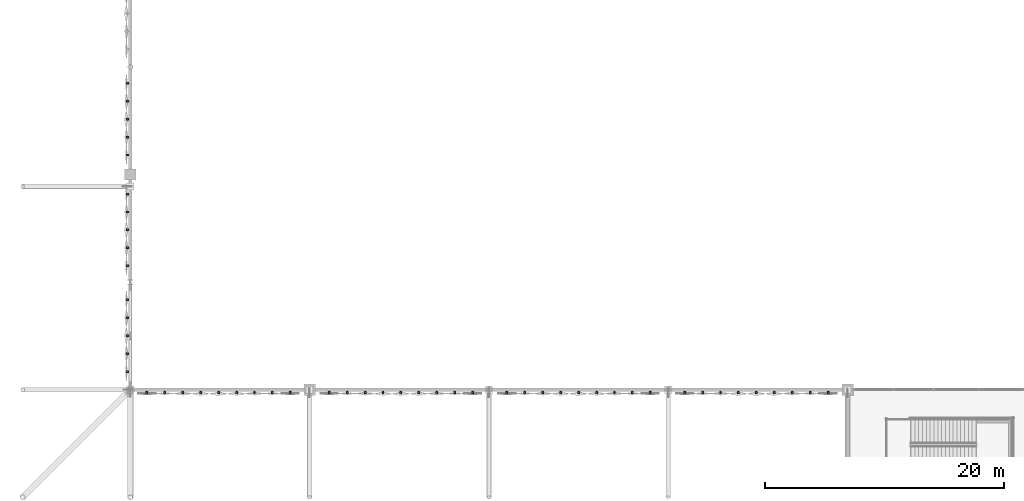
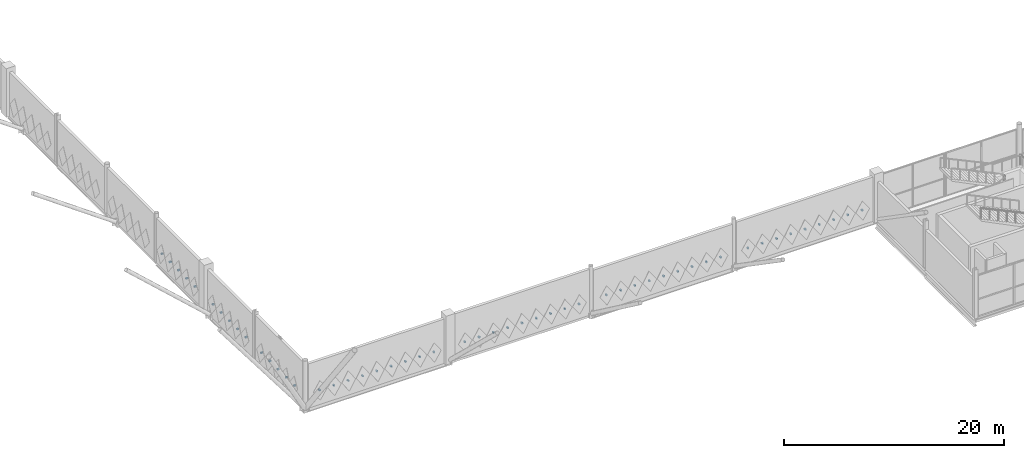
# One storey, part 100 of 119: 51 discrete accessories.
"""IFC4 building model written with IfcOpenShell, lengths in metres."""

from ifc_helpers import new_model, si_unit, direction, frame, origin, origin_2d, place, context, subcontext, project, spatial, rectangle, extrude, material, type_object, element, save


model = new_model("IFC4")

# Units and contexts
model_context = context("Model", 3, precision=1e-05, world=origin(), true_north=direction((0.0, 1.0)))
body_context = subcontext(model_context, "Body", "Model", "MODEL_VIEW")
ifc_project = project(units=[si_unit("LENGTHUNIT", "METRE"), si_unit("AREAUNIT", "SQUARE_METRE"), si_unit("VOLUMEUNIT", "CUBIC_METRE"), si_unit("PLANEANGLEUNIT", "RADIAN"), si_unit("MASSUNIT", "GRAM", prefix="KILO")], contexts=[model_context])

# Site, building, storey
site_placement = place(None, origin())
site = spatial("IfcSite", under=ifc_project, at=site_placement, CompositionType="ELEMENT")
building_placement = place(site_placement, origin())
building = spatial("IfcBuilding", under=site, at=building_placement, Name="Qamarlyn Nura Convention Centre", CompositionType="ELEMENT")
storey_placement = place(building_placement, frame((0.0, 0.0, 5.39990234375)))
storey = spatial("IfcBuildingStorey", under=building, at=storey_placement, Name="L01", CompositionType="ELEMENT", Elevation=5.39990234375)

# Discrete accessories
ifc_material = material(Name="Marine Grade 316 stainless steel", Category="steel")
discrete_accessory_type = type_object("IfcDiscreteAccessoryType", Name="ACC-TILE-BRK", PredefinedType="BRACKET", material=ifc_material)
discrete_accessory_1_placement = place(storey_placement, frame((-0.218994140625, 19.520751953125, 1.6201171875), z_axis=(0.0, 0.0, 1.0), x_axis=(-1.0, 0.0, 0.0)))
element("IfcDiscreteAccessory", 1, at=discrete_accessory_1_placement, inside=storey, type_object=discrete_accessory_type, Name="L01 diamond tile pivot bracket 0049", PredefinedType="BRACKET", context=body_context, shape_type="SweptSolid", body=[
    extrude(rectangle(XDim=0.218017578125, YDim=0.159912109375, at=origin_2d()), origin(), (0.0, 0.0, 1.0), 0.159912109375),
])
discrete_accessory_2_placement = place(storey_placement, frame((-0.224365234375, 21.020751953125, 1.6201171875), z_axis=(0.0, 0.0, 1.0), x_axis=(-1.0, 0.0, 0.0)))
element("IfcDiscreteAccessory", 2, at=discrete_accessory_2_placement, inside=storey, type_object=discrete_accessory_type, Name="L01 diamond tile pivot bracket 0050", PredefinedType="BRACKET", context=body_context, shape_type="SweptSolid", body=[
    extrude(rectangle(XDim=0.228515625, YDim=0.159912109375, at=origin_2d()), origin(), (0.0, 0.0, 1.0), 0.159912109375),
])
discrete_accessory_3_placement = place(storey_placement, frame((-0.2265625, 22.520751953125, 1.6201171875), z_axis=(0.0, 0.0, 1.0), x_axis=(-1.0, 0.0, 0.0)))
element("IfcDiscreteAccessory", 3, at=discrete_accessory_3_placement, inside=storey, type_object=discrete_accessory_type, Name="L01 diamond tile pivot bracket 0051", PredefinedType="BRACKET", context=body_context, shape_type="SweptSolid", body=[
    extrude(rectangle(XDim=0.23291015625, YDim=0.159912109375, at=origin_2d()), origin(), (0.0, 0.0, 1.0), 0.159912109375),
])
discrete_accessory_4_placement = place(storey_placement, frame((-0.224365234375, 24.020751953125, 1.6201171875), z_axis=(0.0, 0.0, 1.0), x_axis=(-1.0, 0.0, 0.0)))
element("IfcDiscreteAccessory", 4, at=discrete_accessory_4_placement, inside=storey, type_object=discrete_accessory_type, Name="L01 diamond tile pivot bracket 0052", PredefinedType="BRACKET", context=body_context, shape_type="SweptSolid", body=[
    extrude(rectangle(XDim=0.228515625, YDim=0.159912109375, at=origin_2d()), origin(), (0.0, 0.0, 1.0), 0.159912109375),
])
for number, where, z_axis, x_axis, name in (
    (5, (-0.218994140625, 25.520751953125, 1.6201171875), (0.0, 0.0, 1.0), (-1.0, 0.0, 0.0), "L01 diamond tile pivot bracket 0053"),
    (6, (-0.218994140625, 28.36865234375, 1.6201171875), (0.0, 0.0, 1.0), (-1.0, 0.0, 0.0), "L01 diamond tile pivot bracket 0054"),
):
    element("IfcDiscreteAccessory", number, at=place(storey_placement, frame(where, z_axis=z_axis, x_axis=x_axis)), inside=storey, type_object=discrete_accessory_type, Name=name, PredefinedType="BRACKET", context=body_context, shape_type="SweptSolid", body=[
        extrude(rectangle(XDim=0.218017578125, YDim=0.159912109375, at=origin_2d()), origin(), (0.0, 0.0, 1.0), 0.159912109375),
    ])
discrete_accessory_5_placement = place(storey_placement, frame((-0.224365234375, 29.86865234375, 1.6201171875), z_axis=(0.0, 0.0, 1.0), x_axis=(-1.0, 0.0, 0.0)))
element("IfcDiscreteAccessory", 7, at=discrete_accessory_5_placement, inside=storey, type_object=discrete_accessory_type, Name="L01 diamond tile pivot bracket 0055", PredefinedType="BRACKET", context=body_context, shape_type="SweptSolid", body=[
    extrude(rectangle(XDim=0.228515625, YDim=0.159912109375, at=origin_2d()), origin(), (0.0, 0.0, 1.0), 0.159912109375),
])
discrete_accessory_6_placement = place(storey_placement, frame((-0.2265625, 31.36865234375, 1.6201171875), z_axis=(0.0, 0.0, 1.0), x_axis=(-1.0, 0.0, 0.0)))
element("IfcDiscreteAccessory", 8, at=discrete_accessory_6_placement, inside=storey, type_object=discrete_accessory_type, Name="L01 diamond tile pivot bracket 0056", PredefinedType="BRACKET", context=body_context, shape_type="SweptSolid", body=[
    extrude(rectangle(XDim=0.23291015625, YDim=0.159912109375, at=origin_2d()), origin(), (0.0, 0.0, 1.0), 0.159912109375),
])
discrete_accessory_7_placement = place(storey_placement, frame((-0.224365234375, 32.86865234375, 1.6201171875), z_axis=(0.0, 0.0, 1.0), x_axis=(-1.0, 0.0, 0.0)))
element("IfcDiscreteAccessory", 9, at=discrete_accessory_7_placement, inside=storey, type_object=discrete_accessory_type, Name="L01 diamond tile pivot bracket 0057", PredefinedType="BRACKET", context=body_context, shape_type="SweptSolid", body=[
    extrude(rectangle(XDim=0.228515625, YDim=0.159912109375, at=origin_2d()), origin(), (0.0, 0.0, 1.0), 0.159912109375),
])
for number, where, z_axis, x_axis, name in (
    (10, (-0.218994140625, 34.36865234375, 1.6201171875), (0.0, 0.0, 1.0), (-1.0, 0.0, 0.0), "L01 diamond tile pivot bracket 0058"),
    (11, (-0.218994140625, 37.635986328125, 1.6201171875), (0.0, 0.0, 1.0), (-1.0, 0.0, 0.0), "L01 diamond tile pivot bracket 0059"),
):
    element("IfcDiscreteAccessory", number, at=place(storey_placement, frame(where, z_axis=z_axis, x_axis=x_axis)), inside=storey, type_object=discrete_accessory_type, Name=name, PredefinedType="BRACKET", context=body_context, shape_type="SweptSolid", body=[
        extrude(rectangle(XDim=0.218017578125, YDim=0.159912109375, at=origin_2d()), origin(), (0.0, 0.0, 1.0), 0.159912109375),
    ])
discrete_accessory_8_placement = place(storey_placement, frame((-0.224365234375, 39.135986328125, 1.6201171875), z_axis=(0.0, 0.0, 1.0), x_axis=(-1.0, 0.0, 0.0)))
element("IfcDiscreteAccessory", 12, at=discrete_accessory_8_placement, inside=storey, type_object=discrete_accessory_type, Name="L01 diamond tile pivot bracket 0060", PredefinedType="BRACKET", context=body_context, shape_type="SweptSolid", body=[
    extrude(rectangle(XDim=0.228515625, YDim=0.159912109375, at=origin_2d()), origin(), (0.0, 0.0, 1.0), 0.159912109375),
])
discrete_accessory_9_placement = place(storey_placement, frame((-0.2265625, 40.635986328125, 1.6201171875), z_axis=(0.0, 0.0, 1.0), x_axis=(-1.0, 0.0, 0.0)))
element("IfcDiscreteAccessory", 13, at=discrete_accessory_9_placement, inside=storey, type_object=discrete_accessory_type, Name="L01 diamond tile pivot bracket 0061", PredefinedType="BRACKET", context=body_context, shape_type="SweptSolid", body=[
    extrude(rectangle(XDim=0.23291015625, YDim=0.159912109375, at=origin_2d()), origin(), (0.0, 0.0, 1.0), 0.159912109375),
])
discrete_accessory_10_placement = place(storey_placement, frame((-0.224365234375, 42.135986328125, 1.6201171875), z_axis=(0.0, 0.0, 1.0), x_axis=(-1.0, 0.0, 0.0)))
element("IfcDiscreteAccessory", 14, at=discrete_accessory_10_placement, inside=storey, type_object=discrete_accessory_type, Name="L01 diamond tile pivot bracket 0062", PredefinedType="BRACKET", context=body_context, shape_type="SweptSolid", body=[
    extrude(rectangle(XDim=0.228515625, YDim=0.159912109375, at=origin_2d()), origin(), (0.0, 0.0, 1.0), 0.159912109375),
])
discrete_accessory_11_placement = place(storey_placement, frame((-0.218994140625, 43.635986328125, 1.6201171875), z_axis=(0.0, 0.0, 1.0), x_axis=(-1.0, 0.0, 0.0)))
element("IfcDiscreteAccessory", 15, at=discrete_accessory_11_placement, inside=storey, type_object=discrete_accessory_type, Name="L01 diamond tile pivot bracket 0063", PredefinedType="BRACKET", context=body_context, shape_type="SweptSolid", body=[
    extrude(rectangle(XDim=0.218017578125, YDim=0.159912109375, at=origin_2d()), origin(), (0.0, 0.0, 1.0), 0.159912109375),
])
discrete_accessory_12_placement = place(storey_placement, frame((13.389404296875, 17.782470703125, 1.6201171875), z_axis=(0.0, 0.0, 1.0), x_axis=(0.0, -1.0, 0.0)))
element("IfcDiscreteAccessory", 16, at=discrete_accessory_12_placement, inside=storey, type_object=discrete_accessory_type, Name="L01 diamond tile pivot bracket 0096", PredefinedType="BRACKET", context=body_context, shape_type="SweptSolid", body=[
    extrude(rectangle(XDim=0.215087890625, YDim=0.159912109375, at=origin_2d()), origin(), (0.0, 0.0, 1.0), 0.159912109375),
])
discrete_accessory_13_placement = place(storey_placement, frame((11.889404296875, 17.7802734375, 1.6201171875), z_axis=(0.0, 0.0, 1.0), x_axis=(0.0, -1.0, 0.0)))
element("IfcDiscreteAccessory", 17, at=discrete_accessory_13_placement, inside=storey, type_object=discrete_accessory_type, Name="L01 diamond tile pivot bracket 0097", PredefinedType="BRACKET", context=body_context, shape_type="SweptSolid", body=[
    extrude(rectangle(XDim=0.219482421875, YDim=0.159912109375, at=origin_2d()), origin(), (0.0, 0.0, 1.0), 0.159912109375),
])
discrete_accessory_14_placement = place(storey_placement, frame((10.389404296875, 17.77587890625, 1.6201171875), z_axis=(0.0, 0.0, 1.0), x_axis=(0.0, -1.0, 0.0)))
element("IfcDiscreteAccessory", 18, at=discrete_accessory_14_placement, inside=storey, type_object=discrete_accessory_type, Name="L01 diamond tile pivot bracket 0098", PredefinedType="BRACKET", context=body_context, shape_type="SweptSolid", body=[
    extrude(rectangle(XDim=0.228515625, YDim=0.159912109375, at=origin_2d()), origin(), (0.0, 0.0, 1.0), 0.159912109375),
])
for number, where, z_axis, x_axis, name in (
    (19, (8.889404296875, 17.7734375, 1.6201171875), (0.0, 0.0, 1.0), (0.0, -1.0, 0.0), "L01 diamond tile pivot bracket 0099"),
    (20, (7.389404296875, 17.7734375, 1.6201171875), (0.0, 0.0, 1.0), (0.0, -1.0, 0.0), "L01 diamond tile pivot bracket 0100"),
    (21, (5.889404296875, 17.7734375, 1.6201171875), (0.0, 0.0, 1.0), (0.0, -1.0, 0.0), "L01 diamond tile pivot bracket 0101"),
):
    element("IfcDiscreteAccessory", number, at=place(storey_placement, frame(where, z_axis=z_axis, x_axis=x_axis)), inside=storey, type_object=discrete_accessory_type, Name=name, PredefinedType="BRACKET", context=body_context, shape_type="SweptSolid", body=[
        extrude(rectangle(XDim=0.23291015625, YDim=0.159912109375, at=origin_2d()), origin(), (0.0, 0.0, 1.0), 0.159912109375),
    ])
discrete_accessory_15_placement = place(storey_placement, frame((4.389404296875, 17.77587890625, 1.6201171875), z_axis=(0.0, 0.0, 1.0), x_axis=(0.0, -1.0, 0.0)))
element("IfcDiscreteAccessory", 22, at=discrete_accessory_15_placement, inside=storey, type_object=discrete_accessory_type, Name="L01 diamond tile pivot bracket 0102", PredefinedType="BRACKET", context=body_context, shape_type="SweptSolid", body=[
    extrude(rectangle(XDim=0.228515625, YDim=0.159912109375, at=origin_2d()), origin(), (0.0, 0.0, 1.0), 0.159912109375),
])
discrete_accessory_16_placement = place(storey_placement, frame((2.889404296875, 17.7802734375, 1.6201171875), z_axis=(0.0, 0.0, 1.0), x_axis=(0.0, -1.0, 0.0)))
element("IfcDiscreteAccessory", 23, at=discrete_accessory_16_placement, inside=storey, type_object=discrete_accessory_type, Name="L01 diamond tile pivot bracket 0103", PredefinedType="BRACKET", context=body_context, shape_type="SweptSolid", body=[
    extrude(rectangle(XDim=0.219482421875, YDim=0.159912109375, at=origin_2d()), origin(), (0.0, 0.0, 1.0), 0.159912109375),
])
for number, where, z_axis, x_axis, name in (
    (24, (1.389404296875, 17.782470703125, 1.6201171875), (0.0, 0.0, 1.0), (0.0, -1.0, 0.0), "L01 diamond tile pivot bracket 0104"),
    (25, (28.635986328125, 17.782470703125, 1.6201171875), (0.0, 0.0, 1.0), (0.0, -1.0, 0.0), "L01 diamond tile pivot bracket 0105"),
):
    element("IfcDiscreteAccessory", number, at=place(storey_placement, frame(where, z_axis=z_axis, x_axis=x_axis)), inside=storey, type_object=discrete_accessory_type, Name=name, PredefinedType="BRACKET", context=body_context, shape_type="SweptSolid", body=[
        extrude(rectangle(XDim=0.215087890625, YDim=0.159912109375, at=origin_2d()), origin(), (0.0, 0.0, 1.0), 0.159912109375),
    ])
discrete_accessory_17_placement = place(storey_placement, frame((27.135986328125, 17.7802734375, 1.6201171875), z_axis=(0.0, 0.0, 1.0), x_axis=(0.0, -1.0, 0.0)))
element("IfcDiscreteAccessory", 26, at=discrete_accessory_17_placement, inside=storey, type_object=discrete_accessory_type, Name="L01 diamond tile pivot bracket 0106", PredefinedType="BRACKET", context=body_context, shape_type="SweptSolid", body=[
    extrude(rectangle(XDim=0.219482421875, YDim=0.159912109375, at=origin_2d()), origin(), (0.0, 0.0, 1.0), 0.159912109375),
])
discrete_accessory_18_placement = place(storey_placement, frame((25.635986328125, 17.77587890625, 1.6201171875), z_axis=(0.0, 0.0, 1.0), x_axis=(0.0, -1.0, 0.0)))
element("IfcDiscreteAccessory", 27, at=discrete_accessory_18_placement, inside=storey, type_object=discrete_accessory_type, Name="L01 diamond tile pivot bracket 0107", PredefinedType="BRACKET", context=body_context, shape_type="SweptSolid", body=[
    extrude(rectangle(XDim=0.228515625, YDim=0.159912109375, at=origin_2d()), origin(), (0.0, 0.0, 1.0), 0.159912109375),
])
for number, where, z_axis, x_axis, name in (
    (28, (24.135986328125, 17.7734375, 1.6201171875), (0.0, 0.0, 1.0), (0.0, -1.0, 0.0), "L01 diamond tile pivot bracket 0108"),
    (29, (22.635986328125, 17.7734375, 1.6201171875), (0.0, 0.0, 1.0), (0.0, -1.0, 0.0), "L01 diamond tile pivot bracket 0109"),
    (30, (21.135986328125, 17.7734375, 1.6201171875), (0.0, 0.0, 1.0), (0.0, -1.0, 0.0), "L01 diamond tile pivot bracket 0110"),
):
    element("IfcDiscreteAccessory", number, at=place(storey_placement, frame(where, z_axis=z_axis, x_axis=x_axis)), inside=storey, type_object=discrete_accessory_type, Name=name, PredefinedType="BRACKET", context=body_context, shape_type="SweptSolid", body=[
        extrude(rectangle(XDim=0.23291015625, YDim=0.159912109375, at=origin_2d()), origin(), (0.0, 0.0, 1.0), 0.159912109375),
    ])
discrete_accessory_19_placement = place(storey_placement, frame((19.635986328125, 17.77587890625, 1.6201171875), z_axis=(0.0, 0.0, 1.0), x_axis=(0.0, -1.0, 0.0)))
element("IfcDiscreteAccessory", 31, at=discrete_accessory_19_placement, inside=storey, type_object=discrete_accessory_type, Name="L01 diamond tile pivot bracket 0111", PredefinedType="BRACKET", context=body_context, shape_type="SweptSolid", body=[
    extrude(rectangle(XDim=0.228515625, YDim=0.159912109375, at=origin_2d()), origin(), (0.0, 0.0, 1.0), 0.159912109375),
])
discrete_accessory_20_placement = place(storey_placement, frame((18.135986328125, 17.7802734375, 1.6201171875), z_axis=(0.0, 0.0, 1.0), x_axis=(0.0, -1.0, 0.0)))
element("IfcDiscreteAccessory", 32, at=discrete_accessory_20_placement, inside=storey, type_object=discrete_accessory_type, Name="L01 diamond tile pivot bracket 0112", PredefinedType="BRACKET", context=body_context, shape_type="SweptSolid", body=[
    extrude(rectangle(XDim=0.219482421875, YDim=0.159912109375, at=origin_2d()), origin(), (0.0, 0.0, 1.0), 0.159912109375),
])
for number, where, z_axis, x_axis, name in (
    (33, (16.635986328125, 17.782470703125, 1.6201171875), (0.0, 0.0, 1.0), (0.0, -1.0, 0.0), "L01 diamond tile pivot bracket 0113"),
    (34, (43.5, 17.782470703125, 1.6201171875), (0.0, 0.0, 1.0), (0.0, -1.0, 0.0), "L01 diamond tile pivot bracket 0114"),
):
    element("IfcDiscreteAccessory", number, at=place(storey_placement, frame(where, z_axis=z_axis, x_axis=x_axis)), inside=storey, type_object=discrete_accessory_type, Name=name, PredefinedType="BRACKET", context=body_context, shape_type="SweptSolid", body=[
        extrude(rectangle(XDim=0.215087890625, YDim=0.159912109375, at=origin_2d()), origin(), (0.0, 0.0, 1.0), 0.159912109375),
    ])
discrete_accessory_21_placement = place(storey_placement, frame((42.0, 17.7802734375, 1.6201171875), z_axis=(0.0, 0.0, 1.0), x_axis=(0.0, -1.0, 0.0)))
element("IfcDiscreteAccessory", 35, at=discrete_accessory_21_placement, inside=storey, type_object=discrete_accessory_type, Name="L01 diamond tile pivot bracket 0115", PredefinedType="BRACKET", context=body_context, shape_type="SweptSolid", body=[
    extrude(rectangle(XDim=0.219482421875, YDim=0.159912109375, at=origin_2d()), origin(), (0.0, 0.0, 1.0), 0.159912109375),
])
discrete_accessory_22_placement = place(storey_placement, frame((40.5, 17.77587890625, 1.6201171875), z_axis=(0.0, 0.0, 1.0), x_axis=(0.0, -1.0, 0.0)))
element("IfcDiscreteAccessory", 36, at=discrete_accessory_22_placement, inside=storey, type_object=discrete_accessory_type, Name="L01 diamond tile pivot bracket 0116", PredefinedType="BRACKET", context=body_context, shape_type="SweptSolid", body=[
    extrude(rectangle(XDim=0.228515625, YDim=0.159912109375, at=origin_2d()), origin(), (0.0, 0.0, 1.0), 0.159912109375),
])
for number, where, z_axis, x_axis, name in (
    (37, (39.0, 17.7734375, 1.6201171875), (0.0, 0.0, 1.0), (0.0, -1.0, 0.0), "L01 diamond tile pivot bracket 0117"),
    (38, (37.5, 17.7734375, 1.6201171875), (0.0, 0.0, 1.0), (0.0, -1.0, 0.0), "L01 diamond tile pivot bracket 0118"),
    (39, (36.0, 17.7734375, 1.6201171875), (0.0, 0.0, 1.0), (0.0, -1.0, 0.0), "L01 diamond tile pivot bracket 0119"),
):
    element("IfcDiscreteAccessory", number, at=place(storey_placement, frame(where, z_axis=z_axis, x_axis=x_axis)), inside=storey, type_object=discrete_accessory_type, Name=name, PredefinedType="BRACKET", context=body_context, shape_type="SweptSolid", body=[
        extrude(rectangle(XDim=0.23291015625, YDim=0.159912109375, at=origin_2d()), origin(), (0.0, 0.0, 1.0), 0.159912109375),
    ])
discrete_accessory_23_placement = place(storey_placement, frame((34.5, 17.77587890625, 1.6201171875), z_axis=(0.0, 0.0, 1.0), x_axis=(0.0, -1.0, 0.0)))
element("IfcDiscreteAccessory", 40, at=discrete_accessory_23_placement, inside=storey, type_object=discrete_accessory_type, Name="L01 diamond tile pivot bracket 0120", PredefinedType="BRACKET", context=body_context, shape_type="SweptSolid", body=[
    extrude(rectangle(XDim=0.228515625, YDim=0.159912109375, at=origin_2d()), origin(), (0.0, 0.0, 1.0), 0.159912109375),
])
discrete_accessory_24_placement = place(storey_placement, frame((33.0, 17.7802734375, 1.6201171875), z_axis=(0.0, 0.0, 1.0), x_axis=(0.0, -1.0, 0.0)))
element("IfcDiscreteAccessory", 41, at=discrete_accessory_24_placement, inside=storey, type_object=discrete_accessory_type, Name="L01 diamond tile pivot bracket 0121", PredefinedType="BRACKET", context=body_context, shape_type="SweptSolid", body=[
    extrude(rectangle(XDim=0.219482421875, YDim=0.159912109375, at=origin_2d()), origin(), (0.0, 0.0, 1.0), 0.159912109375),
])
for number, where, z_axis, x_axis, name in (
    (42, (31.5, 17.782470703125, 1.6201171875), (0.0, 0.0, 1.0), (0.0, -1.0, 0.0), "L01 diamond tile pivot bracket 0122"),
    (43, (58.364013671875, 17.782470703125, 1.6201171875), (0.0, 0.0, 1.0), (0.0, -1.0, 0.0), "L01 diamond tile pivot bracket 0123"),
):
    element("IfcDiscreteAccessory", number, at=place(storey_placement, frame(where, z_axis=z_axis, x_axis=x_axis)), inside=storey, type_object=discrete_accessory_type, Name=name, PredefinedType="BRACKET", context=body_context, shape_type="SweptSolid", body=[
        extrude(rectangle(XDim=0.215087890625, YDim=0.159912109375, at=origin_2d()), origin(), (0.0, 0.0, 1.0), 0.159912109375),
    ])
discrete_accessory_25_placement = place(storey_placement, frame((56.864013671875, 17.7802734375, 1.6201171875), z_axis=(0.0, 0.0, 1.0), x_axis=(0.0, -1.0, 0.0)))
element("IfcDiscreteAccessory", 44, at=discrete_accessory_25_placement, inside=storey, type_object=discrete_accessory_type, Name="L01 diamond tile pivot bracket 0124", PredefinedType="BRACKET", context=body_context, shape_type="SweptSolid", body=[
    extrude(rectangle(XDim=0.219482421875, YDim=0.159912109375, at=origin_2d()), origin(), (0.0, 0.0, 1.0), 0.159912109375),
])
discrete_accessory_26_placement = place(storey_placement, frame((55.364013671875, 17.77587890625, 1.6201171875), z_axis=(0.0, 0.0, 1.0), x_axis=(0.0, -1.0, 0.0)))
element("IfcDiscreteAccessory", 45, at=discrete_accessory_26_placement, inside=storey, type_object=discrete_accessory_type, Name="L01 diamond tile pivot bracket 0125", PredefinedType="BRACKET", context=body_context, shape_type="SweptSolid", body=[
    extrude(rectangle(XDim=0.228515625, YDim=0.159912109375, at=origin_2d()), origin(), (0.0, 0.0, 1.0), 0.159912109375),
])
for number, where, z_axis, x_axis, name in (
    (46, (53.864013671875, 17.7734375, 1.6201171875), (0.0, 0.0, 1.0), (0.0, -1.0, 0.0), "L01 diamond tile pivot bracket 0126"),
    (47, (52.364013671875, 17.7734375, 1.6201171875), (0.0, 0.0, 1.0), (0.0, -1.0, 0.0), "L01 diamond tile pivot bracket 0127"),
    (48, (50.864013671875, 17.7734375, 1.6201171875), (0.0, 0.0, 1.0), (0.0, -1.0, 0.0), "L01 diamond tile pivot bracket 0128"),
):
    element("IfcDiscreteAccessory", number, at=place(storey_placement, frame(where, z_axis=z_axis, x_axis=x_axis)), inside=storey, type_object=discrete_accessory_type, Name=name, PredefinedType="BRACKET", context=body_context, shape_type="SweptSolid", body=[
        extrude(rectangle(XDim=0.23291015625, YDim=0.159912109375, at=origin_2d()), origin(), (0.0, 0.0, 1.0), 0.159912109375),
    ])
discrete_accessory_27_placement = place(storey_placement, frame((49.364013671875, 17.77587890625, 1.6201171875), z_axis=(0.0, 0.0, 1.0), x_axis=(0.0, -1.0, 0.0)))
element("IfcDiscreteAccessory", 49, at=discrete_accessory_27_placement, inside=storey, type_object=discrete_accessory_type, Name="L01 diamond tile pivot bracket 0129", PredefinedType="BRACKET", context=body_context, shape_type="SweptSolid", body=[
    extrude(rectangle(XDim=0.228515625, YDim=0.159912109375, at=origin_2d()), origin(), (0.0, 0.0, 1.0), 0.159912109375),
])
discrete_accessory_28_placement = place(storey_placement, frame((47.864013671875, 17.7802734375, 1.6201171875), z_axis=(0.0, 0.0, 1.0), x_axis=(0.0, -1.0, 0.0)))
element("IfcDiscreteAccessory", 50, at=discrete_accessory_28_placement, inside=storey, type_object=discrete_accessory_type, Name="L01 diamond tile pivot bracket 0130", PredefinedType="BRACKET", context=body_context, shape_type="SweptSolid", body=[
    extrude(rectangle(XDim=0.219482421875, YDim=0.159912109375, at=origin_2d()), origin(), (0.0, 0.0, 1.0), 0.159912109375),
])
discrete_accessory_29_placement = place(storey_placement, frame((46.364013671875, 17.782470703125, 1.6201171875), z_axis=(0.0, 0.0, 1.0), x_axis=(0.0, -1.0, 0.0)))
element("IfcDiscreteAccessory", 51, at=discrete_accessory_29_placement, inside=storey, type_object=discrete_accessory_type, Name="L01 diamond tile pivot bracket 0131", PredefinedType="BRACKET", context=body_context, shape_type="SweptSolid", body=[
    extrude(rectangle(XDim=0.215087890625, YDim=0.159912109375, at=origin_2d()), origin(), (0.0, 0.0, 1.0), 0.159912109375),
])

save(model, "model.ifc")
